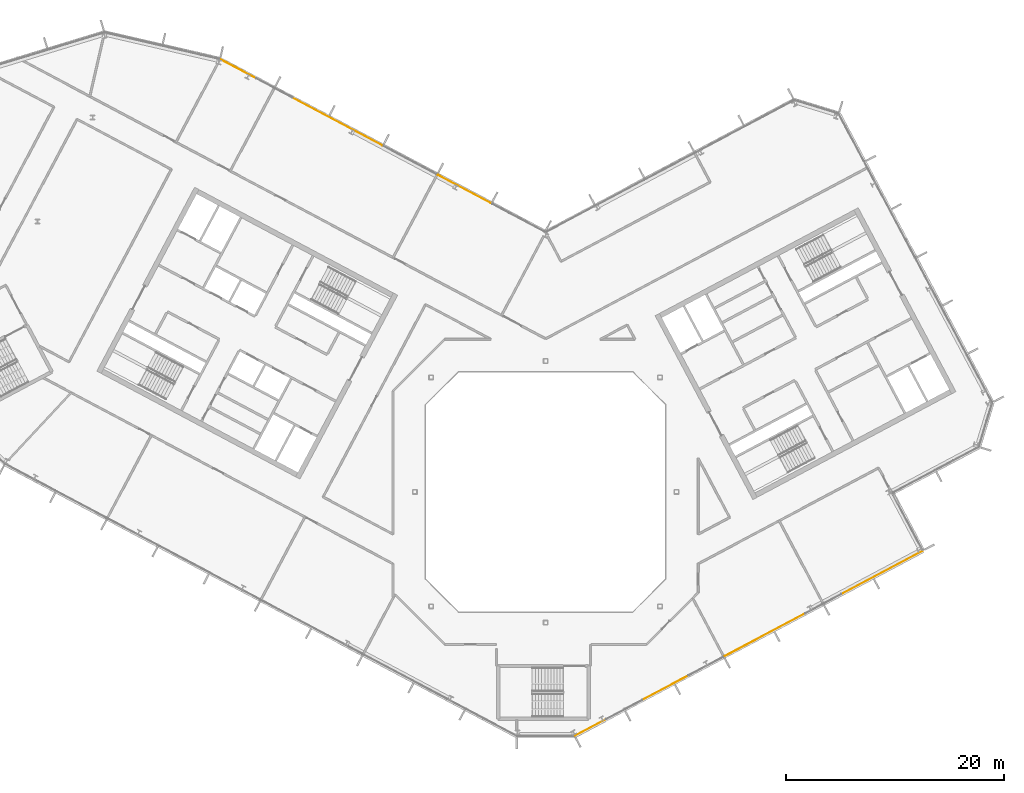
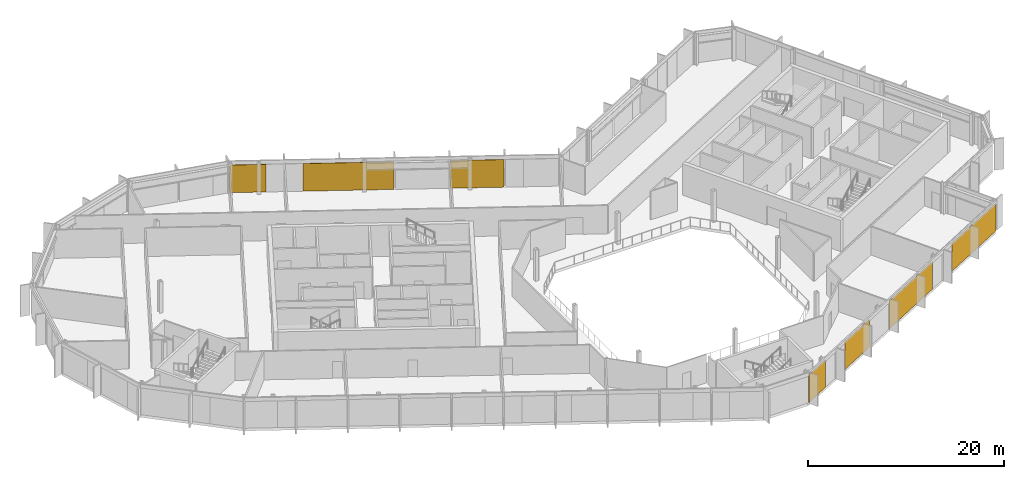
# One storey, part 23 of 25: 7 coverings, 2 elements without a shape of their own.
"""IFC4 building model written with IfcOpenShell, lengths in metres."""

from ifc_helpers import new_model, si_unit, direction, frame, origin, origin_2d, place, context, subcontext, project, spatial, rectangle, extrude, material, layer, layer_set, type_object, element, aggregate, save


model = new_model("IFC4")

# Units and contexts
model_context = context("Model", 3, precision=1e-05, world=origin(), true_north=direction((0.0, 1.0)))
body_context = subcontext(model_context, "Body", "Model", "MODEL_VIEW")
ifc_project = project(units=[si_unit("LENGTHUNIT", "METRE"), si_unit("AREAUNIT", "SQUARE_METRE"), si_unit("VOLUMEUNIT", "CUBIC_METRE"), si_unit("PLANEANGLEUNIT", "RADIAN"), si_unit("MASSUNIT", "GRAM", prefix="KILO")], contexts=[model_context])

# Site, building, storey
site_placement = place(None, origin())
site = spatial("IfcSite", under=ifc_project, at=site_placement, CompositionType="ELEMENT")
building_placement = place(site_placement, origin())
building = spatial("IfcBuilding", under=site, at=building_placement, Name="Cormorant Relay Tower", CompositionType="ELEMENT")
storey_placement = place(building_placement, frame((0.0, 0.0, 265.800048828125)))
storey = spatial("IfcBuildingStorey", under=building, at=storey_placement, Name="L59", CompositionType="ELEMENT", Elevation=265.800048828125)

# Curtain wall, coverings
ifc_material_1 = material(Name="Aluminium 6063-T6 anodised bronze", Category="aluminium")
ifc_layer_1 = layer(ifc_material_1, 0.199951171875)
ifc_layer_set_1 = layer_set([ifc_layer_1], Name="CW1 unitised bronze curtain wall with vertical fins")
curtain_wall_type = type_object("IfcCurtainWallType", Name="CW1 unitised bronze curtain wall with vertical fins", PredefinedType="NOTDEFINED", material=ifc_layer_set_1)
curtain_wall_1_placement = place(storey_placement, origin())
curtain_wall_1 = element("IfcCurtainWall", 1, at=curtain_wall_1_placement, inside=storey, type_object=curtain_wall_type, Name="CW1 curtain wall 2", PredefinedType="NOTDEFINED")
ifc_material_2 = material(Name="Pale bronze anodised aluminium insulated panel", Category="aluminium")
ifc_layer_2 = layer(ifc_material_2, 0.0400390625)
ifc_layer_set_2 = layer_set([ifc_layer_2], Name="CW1 pale bronze insulated panel 40")
covering_type = type_object("IfcCoveringType", Name="CW1 pale bronze insulated panel 40", PredefinedType="CLADDING", material=ifc_layer_set_2)
covering_1_placement = place(storey_placement, frame((4.14453125, -21.60302734375, 0.0), z_axis=(0.0, 0.0, 1.0), x_axis=(0.882947592859, 0.469471562786, 0.0)))
covering_1 = element("IfcCovering", 2, at=covering_1_placement, type_object=covering_type, Name="CW1 panel S00", PredefinedType="CLADDING", context=body_context, shape_type="SweptSolid", body=[
    extrude(rectangle(XDim=3.216552734375, YDim=0.0400390625, at=origin_2d()), origin(), (0.0, 0.0, 1.0), 3.449951171875),
])
covering_2_placement = place(storey_placement, frame((10.9873046875, -17.964599609375, 0.0), z_axis=(0.0, 0.0, 1.0), x_axis=(0.882947592859, 0.469471562786, 0.0)))
covering_2 = element("IfcCovering", 3, at=covering_2_placement, type_object=covering_type, Name="CW1 panel S03", PredefinedType="CLADDING", context=body_context, shape_type="SweptSolid", body=[
    extrude(rectangle(XDim=4.783203125, YDim=0.0400390625, at=origin_2d()), origin(), (0.0, 0.0, 1.0), 3.449951171875),
])
covering_3_placement = place(storey_placement, frame((20.11083984375, -13.113525390625, 0.0), z_axis=(0.0, 0.0, 1.0), x_axis=(0.882947592859, 0.469471562786, 0.0)))
covering_3 = element("IfcCovering", 4, at=covering_3_placement, type_object=covering_type, Name="CW1 panel S05", PredefinedType="CLADDING", context=body_context, shape_type="SweptSolid", body=[
    extrude(rectangle(XDim=8.383056640625, YDim=0.0400390625, at=origin_2d()), origin(), (0.0, 0.0, 1.0), 3.449951171875),
])
covering_4_placement = place(storey_placement, frame((30.856689453125, -7.39990234375, 0.0), z_axis=(0.0, 0.0, 1.0), x_axis=(0.882947592859, 0.469471562786, 0.0)))
covering_4 = element("IfcCovering", 5, at=covering_4_placement, type_object=covering_type, Name="CW1 panel S08", PredefinedType="CLADDING", context=body_context, shape_type="SweptSolid", body=[
    extrude(rectangle(XDim=8.4580078125, YDim=0.0400390625, at=origin_2d()), origin(), (0.0, 0.0, 1.0), 3.449951171875),
])
aggregate(curtain_wall_1, [covering_1, covering_2, covering_3, covering_4])

curtain_wall_2_placement = place(storey_placement, origin())
curtain_wall_2 = element("IfcCurtainWall", 6, at=curtain_wall_2_placement, inside=storey, type_object=curtain_wall_type, Name="CW1 curtain wall 9", PredefinedType="NOTDEFINED")
covering_5_placement = place(storey_placement, frame((-7.458984375, 27.772705078125, 0.0), z_axis=(0.0, 0.0, 1.0), x_axis=(-0.882947592859, 0.469471562786, 0.0)))
covering_5 = element("IfcCovering", 7, at=covering_5_placement, type_object=covering_type, Name="CW1 panel S02", PredefinedType="CLADDING", context=body_context, shape_type="SweptSolid", body=[
    extrude(rectangle(XDim=5.489013671875, YDim=0.0400390625, at=origin_2d()), origin(), (0.0, 0.0, 1.0), 3.449951171875),
])
covering_6_placement = place(storey_placement, frame((-19.11181640625, 33.968505859375, 0.0), z_axis=(0.0, 0.0, 1.0), x_axis=(-0.882947592859, 0.469471562786, 0.0)))
covering_6 = element("IfcCovering", 8, at=covering_6_placement, type_object=covering_type, Name="CW1 panel S04", PredefinedType="CLADDING", context=body_context, shape_type="SweptSolid", body=[
    extrude(rectangle(XDim=9.327880859375, YDim=0.0400390625, at=origin_2d()), origin(), (0.0, 0.0, 1.0), 3.449951171875),
])
covering_7_placement = place(storey_placement, frame((-28.20263671875, 38.80224609375, 0.0), z_axis=(0.0, 0.0, 1.0), x_axis=(-0.882947592859, 0.469471562786, 0.0)))
covering_7 = element("IfcCovering", 9, at=covering_7_placement, type_object=covering_type, Name="CW1 panel S07", PredefinedType="CLADDING", context=body_context, shape_type="SweptSolid", body=[
    extrude(rectangle(XDim=3.763916015625, YDim=0.0400390625, at=origin_2d()), origin(), (0.0, 0.0, 1.0), 3.449951171875),
])
aggregate(curtain_wall_2, [covering_5, covering_6, covering_7])

save(model, "model.ifc")
